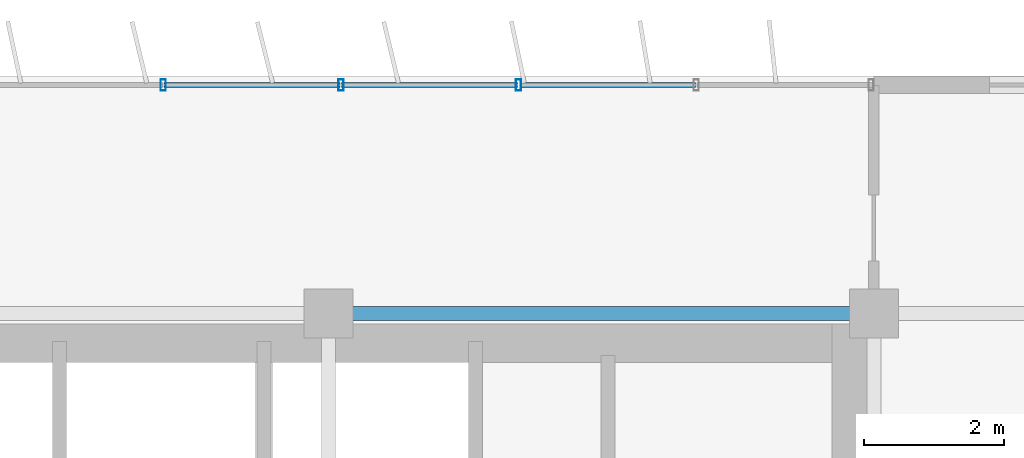
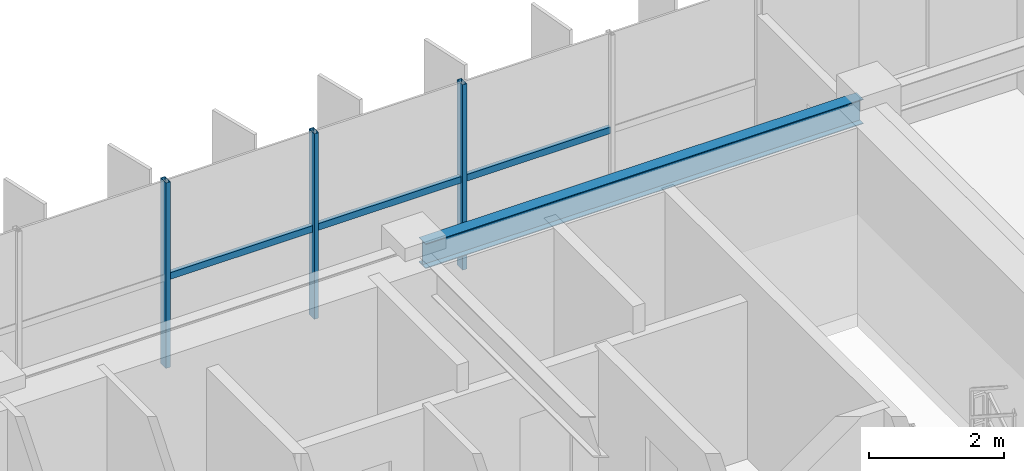
# One storey, part 12 of 23: 6 members, 1 beam, 1 element without a shape of its own.
"""IFC4 building model written with IfcOpenShell, lengths in metres."""

from ifc_helpers import new_model, si_unit, direction, frame, origin, origin_2d, place, context, subcontext, project, spatial, hollow_rectangle, i_section, extrude, source, transform, mapped, material, material_profile, profile_set, type_object, element, aggregate, save


model = new_model("IFC4")

# Units and contexts
model_context = context("Model", 3, precision=1e-05, world=origin(), true_north=direction((0.0, 1.0)))
body_context = subcontext(model_context, "Body", "Model", "MODEL_VIEW")
ifc_project = project(units=[si_unit("LENGTHUNIT", "METRE"), si_unit("AREAUNIT", "SQUARE_METRE"), si_unit("VOLUMEUNIT", "CUBIC_METRE"), si_unit("PLANEANGLEUNIT", "RADIAN"), si_unit("MASSUNIT", "GRAM", prefix="KILO")], contexts=[model_context])

# Site, building, storey
site_placement = place(None, origin())
site = spatial("IfcSite", under=ifc_project, at=site_placement, CompositionType="ELEMENT")
building_placement = place(site_placement, origin())
building = spatial("IfcBuilding", under=site, at=building_placement, Name="Trelvane Seafront Commons", CompositionType="ELEMENT")
storey_placement = place(building_placement, frame((0.0, 0.0, 230.10009765625)))
storey = spatial("IfcBuildingStorey", under=building, at=storey_placement, Name="L60", CompositionType="ELEMENT", Elevation=230.10009765625)

# Beam
ifc_material_1 = material(Name="Steel SM355 (S355)", Category="steel")
ifc_material_profile_1 = material_profile(ifc_material_1, i_section(OverallWidth=0.199951171875, OverallDepth=0.449951171875, WebThickness=0.009033203125, FlangeThickness=0.013916015625, at=origin_2d()), Name="H-450x200x9x14")
ifc_profile_set_1 = profile_set([ifc_material_profile_1], Name="Steel SM355 (S355)")
beam_type = type_object("IfcBeamType", Name="STR-SPD-H450", PredefinedType="SPANDREL", material=ifc_profile_set_1)
shared_shape_1 = source(origin(), body_context, "Body", "SweptSolid", [
    extrude(i_section(OverallWidth=0.199951171875, OverallDepth=0.449951171875, WebThickness=0.009033203125, FlangeThickness=0.013916015625, at=origin_2d()), origin(), (0.0, 0.0, 1.0), 7.5),
])
beam_placement = place(storey_placement, frame((51.14990234375, 45.10009765625, 3.135009765625), z_axis=(1.0, 0.0, 0.0), x_axis=(0.0, 1.0, 0.0)))
element("IfcBeam", 1, at=beam_placement, inside=storey, type_object=beam_type, Name="L60 Primary Girder G-27", PredefinedType="SPANDREL", context=body_context, shape_type="MappedRepresentation", body=[
    mapped(shared_shape_1, transform((0.0, 0.0, 0.0), x_axis=(1.0, 0.0, 0.0), y_axis=(0.0, 1.0, 0.0), z_axis=(0.0, 0.0, 1.0), scale=1.0)),
])

# Curtain wall, members
ifc_material_2 = material(Name="Anodised pale-silver aluminium", Category="aluminium")
curtain_wall_type = type_object("IfcCurtainWallType", Name="ARCH-CW5-UPTOWER", PredefinedType="NOTDEFINED", material=ifc_material_2)
curtain_wall_placement = place(storey_placement, origin())
curtain_wall = element("IfcCurtainWall", 2, at=curtain_wall_placement, inside=storey, type_object=curtain_wall_type, Name="CW-L60-0103", PredefinedType="NOTDEFINED")
ifc_material_profile_2 = material_profile(ifc_material_2, hollow_rectangle(XDim=0.070068359375, YDim=0.1201171875, WallThickness=0.00390625, at=origin_2d()), Name="TRAN-70x120x4")
ifc_profile_set_2 = profile_set([ifc_material_profile_2], Name="Anodised pale-silver aluminium")
member_type_1 = type_object("IfcMemberType", Name="ARCH-CW-TRAN-120", PredefinedType="USERDEFINED", material=ifc_profile_set_2)
shared_shape_2 = source(origin(), body_context, "Body", "SweptSolid", [
    extrude(hollow_rectangle(XDim=0.070068359375, YDim=0.1201171875, WallThickness=0.00390625, at=origin_2d()), origin(), (0.0, 0.0, 1.0), 2.51708984375),
])
member_1_placement = place(storey_placement, frame((51.1884765625, 48.3701171875, 1.61279296875), z_axis=(1.0, 0.0, 0.0), x_axis=(0.0, 1.0, 0.0)))
member_1 = element("IfcMember", 3, at=member_1_placement, type_object=member_type_1, Name="CW-L60-0103-T14", ObjectType="TRANSOM", PredefinedType="USERDEFINED", context=body_context, shape_type="MappedRepresentation", body=[
    mapped(shared_shape_2, transform((0.0, 0.0, 0.0), x_axis=(1.0, 0.0, 0.0), y_axis=(0.0, 1.0, 0.0), z_axis=(0.0, 0.0, 1.0), scale=1.0)),
])
shared_shape_3 = source(origin(), body_context, "Body", "SweptSolid", [
    extrude(hollow_rectangle(XDim=0.070068359375, YDim=0.1201171875, WallThickness=0.00390625, at=origin_2d()), origin(), (0.0, 0.0, 1.0), 2.517333984375),
])
member_2_placement = place(storey_placement, frame((48.647216796875, 48.3701171875, 1.61279296875), z_axis=(1.0, 0.0, 0.0), x_axis=(0.0, 1.0, 0.0)))
member_2 = element("IfcMember", 4, at=member_2_placement, type_object=member_type_1, Name="CW-L60-0103-T13", ObjectType="TRANSOM", PredefinedType="USERDEFINED", context=body_context, shape_type="MappedRepresentation", body=[
    mapped(shared_shape_3, transform((0.0, 0.0, 0.0), x_axis=(1.0, 0.0, 0.0), y_axis=(0.0, 1.0, 0.0), z_axis=(0.0, 0.0, 1.0), scale=1.0)),
])
member_3_placement = place(storey_placement, frame((53.7294921875, 48.3701171875, 1.61279296875), z_axis=(1.0, 0.0, 0.0), x_axis=(0.0, 1.0, 0.0)))
member_3 = element("IfcMember", 5, at=member_3_placement, type_object=member_type_1, Name="CW-L60-0103-T15", ObjectType="TRANSOM", PredefinedType="USERDEFINED", context=body_context, shape_type="MappedRepresentation", body=[
    mapped(shared_shape_3, transform((0.0, 0.0, 0.0), x_axis=(1.0, 0.0, 0.0), y_axis=(0.0, 1.0, 0.0), z_axis=(0.0, 0.0, 1.0), scale=1.0)),
])
ifc_material_profile_3 = material_profile(ifc_material_2, hollow_rectangle(XDim=0.074951171875, YDim=0.159912109375, WallThickness=0.00390625, at=origin_2d()), Name="MULL-75x160x4")
ifc_profile_set_3 = profile_set([ifc_material_profile_3], Name="Anodised pale-silver aluminium")
member_type_2 = type_object("IfcMemberType", Name="ARCH-CW-MULL-160", PredefinedType="MULLION", material=ifc_profile_set_3)
shared_shape_4 = source(origin(), body_context, "Body", "SweptSolid", [
    extrude(hollow_rectangle(XDim=0.074951171875, YDim=0.159912109375, WallThickness=0.00390625, at=origin_2d()), origin(), (0.0, 0.0, 1.0), 3.35986328125),
])
member_4_placement = place(storey_placement, frame((48.63525390625, 48.3701171875, 0.0), z_axis=(0.0, 0.0, 1.0), x_axis=(1.0, 0.0, 0.0)))
member_4 = element("IfcMember", 6, at=member_4_placement, type_object=member_type_2, Name="CW-L60-0103-M13", PredefinedType="MULLION", context=body_context, shape_type="MappedRepresentation", body=[
    mapped(shared_shape_4, transform((0.0, 0.0, 0.0), x_axis=(1.0, 0.0, 0.0), y_axis=(0.0, 1.0, 0.0), z_axis=(0.0, 0.0, 1.0), scale=1.0)),
])
member_5_placement = place(storey_placement, frame((51.176513671875, 48.3701171875, 0.0), z_axis=(0.0, 0.0, 1.0), x_axis=(1.0, 0.0, 0.0)))
member_5 = element("IfcMember", 7, at=member_5_placement, type_object=member_type_2, Name="CW-L60-0103-M14", PredefinedType="MULLION", context=body_context, shape_type="MappedRepresentation", body=[
    mapped(shared_shape_4, transform((0.0, 0.0, 0.0), x_axis=(1.0, 0.0, 0.0), y_axis=(0.0, 1.0, 0.0), z_axis=(0.0, 0.0, 1.0), scale=1.0)),
])
member_6_placement = place(storey_placement, frame((53.717529296875, 48.3701171875, 0.0), z_axis=(0.0, 0.0, 1.0), x_axis=(1.0, 0.0, 0.0)))
member_6 = element("IfcMember", 8, at=member_6_placement, type_object=member_type_2, Name="CW-L60-0103-M15", PredefinedType="MULLION", context=body_context, shape_type="MappedRepresentation", body=[
    mapped(shared_shape_4, transform((0.0, 0.0, 0.0), x_axis=(1.0, 0.0, 0.0), y_axis=(0.0, 1.0, 0.0), z_axis=(0.0, 0.0, 1.0), scale=1.0)),
])
aggregate(curtain_wall, [member_4, member_5, member_6, member_2, member_1, member_3])

save(model, "model.ifc")
